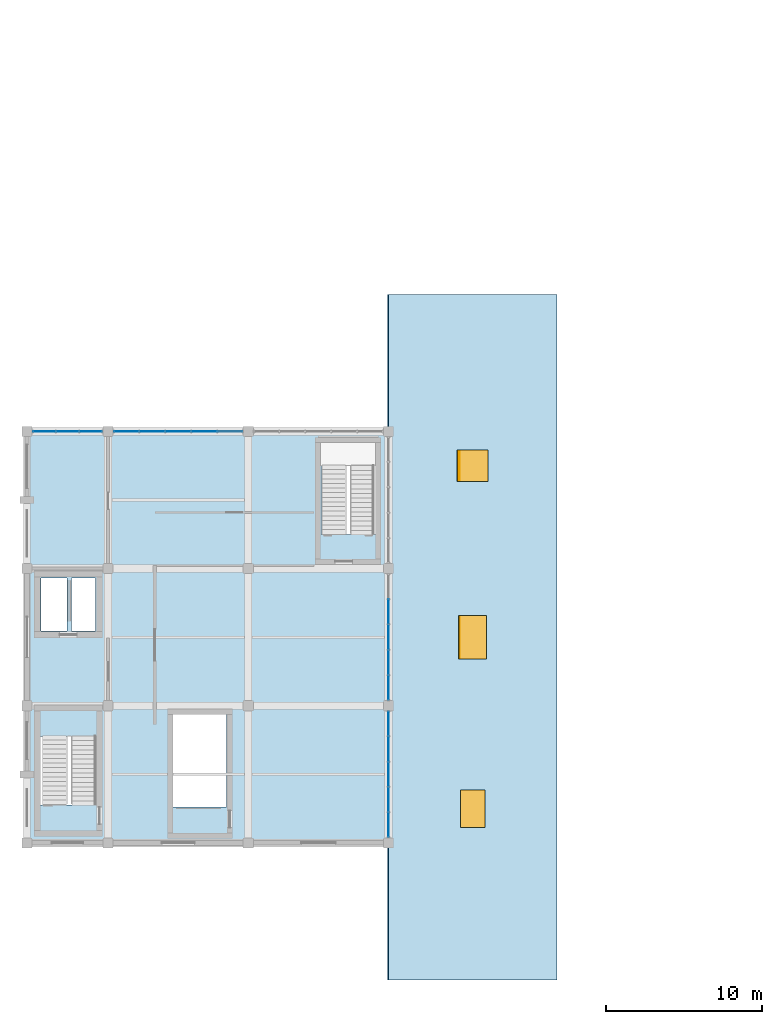
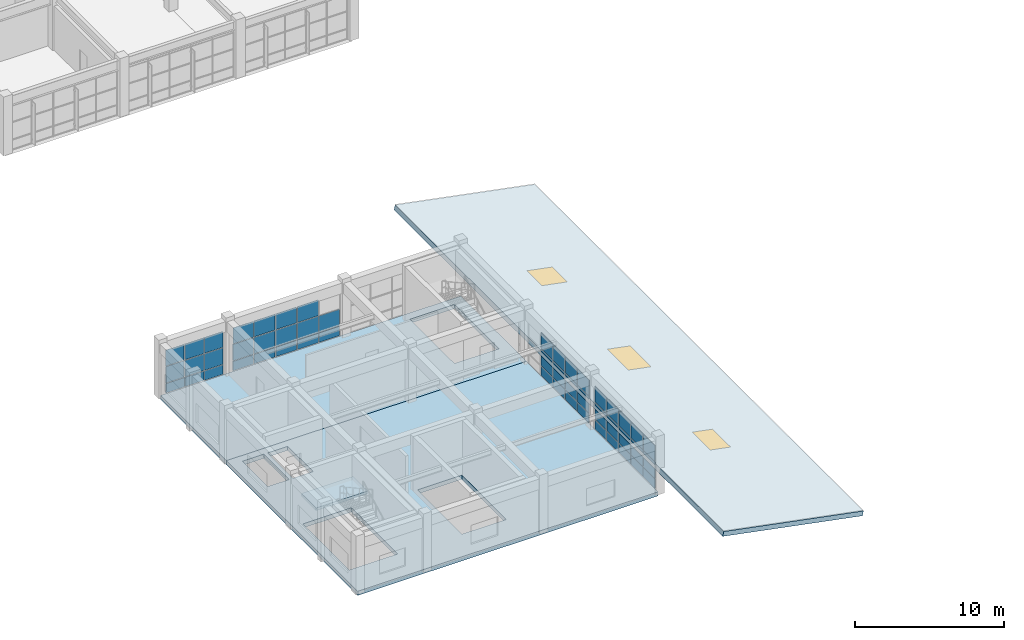
# One storey, part 69 of 99: 50 plates, 4 slabs, 3 windows, 3 openings, 5 elements without a shape of their own.
"""IFC4 building model written with IfcOpenShell, lengths in metres."""

from ifc_helpers import new_model, si_unit, direction, frame, origin, origin_2d, place, context, subcontext, project, spatial, polyline, rectangle, outline, extrude, material, layer, layer_set, type_object, element, fill, aggregate, save


model = new_model("IFC4")

# Units and contexts
model_context = context("Model", 3, precision=1e-05, world=origin(), true_north=direction((0.0, 1.0)))
body_context = subcontext(model_context, "Body", "Model", "MODEL_VIEW")
ifc_project = project(units=[si_unit("LENGTHUNIT", "METRE"), si_unit("AREAUNIT", "SQUARE_METRE"), si_unit("VOLUMEUNIT", "CUBIC_METRE"), si_unit("PLANEANGLEUNIT", "RADIAN"), si_unit("MASSUNIT", "GRAM", prefix="KILO")], contexts=[model_context])

# Site, building, storey
site_placement = place(None, origin())
site = spatial("IfcSite", under=ifc_project, at=site_placement, CompositionType="ELEMENT")
building_placement = place(site_placement, origin())
building = spatial("IfcBuilding", under=site, at=building_placement, Name="Ventoquebrada Cableway Terminal", CompositionType="ELEMENT")
storey_placement = place(building_placement, frame((0.0, 0.0, 9.60009765625)))
storey = spatial("IfcBuildingStorey", under=building, at=storey_placement, Name="L02", CompositionType="ELEMENT", Elevation=9.60009765625)

# Curtain wall, plates
ifc_material_1 = material(Name="Anodized thermally-broken aluminium", Category="aluminium")
ifc_layer_1 = layer(ifc_material_1, 0.159912109375)
ifc_layer_set_1 = layer_set([ifc_layer_1], Name="Anodized thermally-broken aluminium")
curtain_wall_type_1 = type_object("IfcCurtainWallType", Name="CW-T07", PredefinedType="USERDEFINED", material=ifc_layer_set_1)
curtain_wall_1_placement = place(storey_placement, origin())
curtain_wall_1 = element("IfcCurtainWall", 1, at=curtain_wall_1_placement, inside=storey, type_object=curtain_wall_type_1, Name="Unitised glazed curtain wall CW-014", ObjectType="UNITISED CURTAIN WALL", PredefinedType="USERDEFINED")
ifc_material_2 = material(Name="Double low-e laminated safety glazing", Category="glass")
ifc_layer_2 = layer(ifc_material_2, 0.031982421875)
ifc_layer_set_2 = layer_set([ifc_layer_2], Name="Double low-e laminated safety glazing")
plate_type_1 = type_object("IfcPlateType", Name="CWP-GL1", PredefinedType="CURTAIN_PANEL", material=ifc_layer_set_2)
plate_1_placement = place(storey_placement, frame((26.199951171875, 12.9619140625, 2.261962890625), z_axis=(0.0, 0.0, 1.0), x_axis=(0.0, 1.0, 0.0)))
plate_1 = element("IfcPlate", 2, at=plate_1_placement, type_object=plate_type_1, Name="Vision glazing panel PN-0120", PredefinedType="CURTAIN_PANEL", context=body_context, shape_type="SweptSolid", body=[
    extrude(rectangle(XDim=1.5439453125, YDim=0.031982421875, at=origin_2d()), origin(), (0.0, 0.0, 1.0), 1.2880859375),
])
plate_2_placement = place(storey_placement, frame((26.199951171875, 14.572021484375, 0.87451171875), z_axis=(0.0, 0.0, 1.0), x_axis=(0.0, 1.0, 0.0)))
plate_2 = element("IfcPlate", 3, at=plate_2_placement, type_object=plate_type_1, Name="Vision glazing panel PN-0122", PredefinedType="CURTAIN_PANEL", context=body_context, shape_type="SweptSolid", body=[
    extrude(rectangle(XDim=1.5791015625, YDim=0.031982421875, at=origin_2d()), origin(), (0.0, 0.0, 1.0), 1.339111328125),
])
plate_3_placement = place(storey_placement, frame((26.199951171875, 16.199951171875, 2.261962890625), z_axis=(0.0, 0.0, 1.0), x_axis=(0.0, 1.0, 0.0)))
plate_3 = element("IfcPlate", 4, at=plate_3_placement, type_object=plate_type_1, Name="Vision glazing panel PN-0126", PredefinedType="CURTAIN_PANEL", context=body_context, shape_type="SweptSolid", body=[
    extrude(rectangle(XDim=1.5791015625, YDim=0.031982421875, at=origin_2d()), origin(), (0.0, 0.0, 1.0), 1.2880859375),
])
plate_4_placement = place(storey_placement, frame((26.199951171875, 17.827880859375, 0.87451171875), z_axis=(0.0, 0.0, 1.0), x_axis=(0.0, 1.0, 0.0)))
plate_4 = element("IfcPlate", 5, at=plate_4_placement, type_object=plate_type_1, Name="Vision glazing panel PN-0128", PredefinedType="CURTAIN_PANEL", context=body_context, shape_type="SweptSolid", body=[
    extrude(rectangle(XDim=1.5791015625, YDim=0.031982421875, at=origin_2d()), origin(), (0.0, 0.0, 1.0), 1.339111328125),
])
plate_5_placement = place(storey_placement, frame((26.199951171875, 19.43798828125, 2.261962890625), z_axis=(0.0, 0.0, 1.0), x_axis=(0.0, 1.0, 0.0)))
plate_5 = element("IfcPlate", 6, at=plate_5_placement, type_object=plate_type_1, Name="Vision glazing panel PN-0132", PredefinedType="CURTAIN_PANEL", context=body_context, shape_type="SweptSolid", body=[
    extrude(rectangle(XDim=1.5439453125, YDim=0.031982421875, at=origin_2d()), origin(), (0.0, 0.0, 1.0), 1.2880859375),
])

curtain_wall_2_placement = place(storey_placement, origin())
curtain_wall_2 = element("IfcCurtainWall", 7, at=curtain_wall_2_placement, inside=storey, type_object=curtain_wall_type_1, Name="Unitised glazed curtain wall CW-015", ObjectType="UNITISED CURTAIN WALL", PredefinedType="USERDEFINED")
plate_6_placement = place(storey_placement, frame((26.199951171875, 21.760986328125, 2.261962890625), z_axis=(0.0, 0.0, 1.0), x_axis=(0.0, 1.0, 0.0)))
plate_6 = element("IfcPlate", 8, at=plate_6_placement, type_object=plate_type_1, Name="Vision glazing panel PN-0135", PredefinedType="CURTAIN_PANEL", context=body_context, shape_type="SweptSolid", body=[
    extrude(rectangle(XDim=1.5439453125, YDim=0.031982421875, at=origin_2d()), origin(), (0.0, 0.0, 1.0), 1.2880859375),
])
plate_7_placement = place(storey_placement, frame((26.199951171875, 23.3720703125, 0.87451171875), z_axis=(0.0, 0.0, 1.0), x_axis=(0.0, 1.0, 0.0)))
plate_7 = element("IfcPlate", 9, at=plate_7_placement, type_object=plate_type_1, Name="Vision glazing panel PN-0137", PredefinedType="CURTAIN_PANEL", context=body_context, shape_type="SweptSolid", body=[
    extrude(rectangle(XDim=1.5791015625, YDim=0.031982421875, at=origin_2d()), origin(), (0.0, 0.0, 1.0), 1.339111328125),
])
plate_8_placement = place(storey_placement, frame((26.199951171875, 25.0, 2.261962890625), z_axis=(0.0, 0.0, 1.0), x_axis=(0.0, 1.0, 0.0)))
plate_8 = element("IfcPlate", 10, at=plate_8_placement, type_object=plate_type_1, Name="Vision glazing panel PN-0141", PredefinedType="CURTAIN_PANEL", context=body_context, shape_type="SweptSolid", body=[
    extrude(rectangle(XDim=1.5791015625, YDim=0.031982421875, at=origin_2d()), origin(), (0.0, 0.0, 1.0), 1.2880859375),
])
plate_9_placement = place(storey_placement, frame((26.199951171875, 26.6279296875, 0.87451171875), z_axis=(0.0, 0.0, 1.0), x_axis=(0.0, 1.0, 0.0)))
plate_9 = element("IfcPlate", 11, at=plate_9_placement, type_object=plate_type_1, Name="Vision glazing panel PN-0143", PredefinedType="CURTAIN_PANEL", context=body_context, shape_type="SweptSolid", body=[
    extrude(rectangle(XDim=1.5791015625, YDim=0.031982421875, at=origin_2d()), origin(), (0.0, 0.0, 1.0), 1.339111328125),
])

ifc_layer_3 = layer(ifc_material_1, 0.159912109375)
ifc_layer_set_3 = layer_set([ifc_layer_3], Name="Anodized thermally-broken aluminium")
curtain_wall_type_2 = type_object("IfcCurtainWallType", Name="CW-T08", PredefinedType="USERDEFINED", material=ifc_layer_set_3)
curtain_wall_3_placement = place(storey_placement, origin())
curtain_wall_3 = element("IfcCurtainWall", 12, at=curtain_wall_3_placement, inside=storey, type_object=curtain_wall_type_2, Name="Unitised glazed curtain wall CW-017", ObjectType="UNITISED CURTAIN WALL", PredefinedType="USERDEFINED")
plate_10_placement = place(storey_placement, frame((7.095947265625, 38.199951171875, 2.261962890625), z_axis=(0.0, 0.0, 1.0), x_axis=(-1.0, 0.0, 0.0)))
plate_10 = element("IfcPlate", 13, at=plate_10_placement, type_object=plate_type_1, Name="Vision glazing panel PN-0165", PredefinedType="CURTAIN_PANEL", context=body_context, shape_type="SweptSolid", body=[
    extrude(rectangle(XDim=1.428955078125, YDim=0.031982421875, at=origin_2d()), origin(), (0.0, 0.0, 1.0), 1.2880859375),
])
plate_11_placement = place(storey_placement, frame((5.60009765625, 38.199951171875, 0.87451171875), z_axis=(0.0, 0.0, 1.0), x_axis=(-1.0, 0.0, 0.0)))
plate_11 = element("IfcPlate", 14, at=plate_11_placement, type_object=plate_type_1, Name="Vision glazing panel PN-0167", PredefinedType="CURTAIN_PANEL", context=body_context, shape_type="SweptSolid", body=[
    extrude(rectangle(XDim=1.464111328125, YDim=0.031982421875, at=origin_2d()), origin(), (0.0, 0.0, 1.0), 1.339111328125),
])
plate_12_placement = place(storey_placement, frame((4.10400390625, 38.199951171875, 2.261962890625), z_axis=(0.0, 0.0, 1.0), x_axis=(-1.0, 0.0, 0.0)))
plate_12 = element("IfcPlate", 15, at=plate_12_placement, type_object=plate_type_1, Name="Vision glazing panel PN-0171", PredefinedType="CURTAIN_PANEL", context=body_context, shape_type="SweptSolid", body=[
    extrude(rectangle(XDim=1.428955078125, YDim=0.031982421875, at=origin_2d()), origin(), (0.0, 0.0, 1.0), 1.2880859375),
])

ifc_layer_4 = layer(ifc_material_1, 0.159912109375)
ifc_layer_set_4 = layer_set([ifc_layer_4], Name="Anodized thermally-broken aluminium")
curtain_wall_type_3 = type_object("IfcCurtainWallType", Name="CW-T09", PredefinedType="USERDEFINED", material=ifc_layer_set_4)
curtain_wall_4_placement = place(storey_placement, origin())
curtain_wall_4 = element("IfcCurtainWall", 16, at=curtain_wall_4_placement, inside=storey, type_object=curtain_wall_type_3, Name="Unitised glazed curtain wall CW-018", ObjectType="UNITISED CURTAIN WALL", PredefinedType="USERDEFINED")
plate_13_placement = place(storey_placement, frame((14.368896484375, 38.199951171875, 0.87451171875), z_axis=(0.0, 0.0, 1.0), x_axis=(-1.0, 0.0, 0.0)))
plate_13 = element("IfcPlate", 17, at=plate_13_placement, type_object=plate_type_1, Name="Vision glazing panel PN-0176", PredefinedType="CURTAIN_PANEL", context=body_context, shape_type="SweptSolid", body=[
    extrude(rectangle(XDim=1.618896484375, YDim=0.031982421875, at=origin_2d()), origin(), (0.0, 0.0, 1.0), 1.339111328125),
])
plate_14_placement = place(storey_placement, frame((12.699951171875, 38.199951171875, 2.261962890625), z_axis=(0.0, 0.0, 1.0), x_axis=(-1.0, 0.0, 0.0)))
plate_14 = element("IfcPlate", 18, at=plate_14_placement, type_object=plate_type_1, Name="Vision glazing panel PN-0180", PredefinedType="CURTAIN_PANEL", context=body_context, shape_type="SweptSolid", body=[
    extrude(rectangle(XDim=1.618896484375, YDim=0.031982421875, at=origin_2d()), origin(), (0.0, 0.0, 1.0), 1.2880859375),
])
plate_15_placement = place(storey_placement, frame((11.031982421875, 38.199951171875, 0.87451171875), z_axis=(0.0, 0.0, 1.0), x_axis=(-1.0, 0.0, 0.0)))
plate_15 = element("IfcPlate", 19, at=plate_15_placement, type_object=plate_type_1, Name="Vision glazing panel PN-0182", PredefinedType="CURTAIN_PANEL", context=body_context, shape_type="SweptSolid", body=[
    extrude(rectangle(XDim=1.618896484375, YDim=0.031982421875, at=origin_2d()), origin(), (0.0, 0.0, 1.0), 1.339111328125),
])
plate_16_placement = place(storey_placement, frame((9.381103515625, 38.199951171875, 2.261962890625), z_axis=(0.0, 0.0, 1.0), x_axis=(-1.0, 0.0, 0.0)))
plate_16 = element("IfcPlate", 20, at=plate_16_placement, type_object=plate_type_1, Name="Vision glazing panel PN-0186", PredefinedType="CURTAIN_PANEL", context=body_context, shape_type="SweptSolid", body=[
    extrude(rectangle(XDim=1.583984375, YDim=0.031982421875, at=origin_2d()), origin(), (0.0, 0.0, 1.0), 1.2880859375),
])

# Plate
ifc_layer_5 = layer(ifc_material_2, 0.0380859375)
ifc_layer_set_5 = layer_set([ifc_layer_5], Name="Double low-e laminated safety glazing")
plate_type_2 = type_object("IfcPlateType", Name="CWP-GL2", PredefinedType="CURTAIN_PANEL", material=ifc_layer_set_5)
plate_17_placement = place(storey_placement, frame((26.199951171875, 12.9619140625, 0.87451171875), z_axis=(0.0, 0.0, 1.0), x_axis=(0.0, 1.0, 0.0)))
plate_17 = element("IfcPlate", 21, at=plate_17_placement, type_object=plate_type_2, Name="Vision glazing panel PN-0119", PredefinedType="CURTAIN_PANEL", context=body_context, shape_type="SweptSolid", body=[
    extrude(rectangle(XDim=1.5439453125, YDim=0.0380859375, at=origin_2d()), origin(), (0.0, 0.0, 1.0), 1.339111328125),
])

plate_18_placement = place(storey_placement, frame((26.199951171875, 14.572021484375, 2.261962890625), z_axis=(0.0, 0.0, 1.0), x_axis=(0.0, 1.0, 0.0)))
plate_18 = element("IfcPlate", 22, at=plate_18_placement, type_object=plate_type_2, Name="Vision glazing panel PN-0123", PredefinedType="CURTAIN_PANEL", context=body_context, shape_type="SweptSolid", body=[
    extrude(rectangle(XDim=1.5791015625, YDim=0.0380859375, at=origin_2d()), origin(), (0.0, 0.0, 1.0), 1.2880859375),
])

plate_19_placement = place(storey_placement, frame((26.199951171875, 16.199951171875, 0.87451171875), z_axis=(0.0, 0.0, 1.0), x_axis=(0.0, 1.0, 0.0)))
plate_19 = element("IfcPlate", 23, at=plate_19_placement, type_object=plate_type_2, Name="Vision glazing panel PN-0125", PredefinedType="CURTAIN_PANEL", context=body_context, shape_type="SweptSolid", body=[
    extrude(rectangle(XDim=1.5791015625, YDim=0.0380859375, at=origin_2d()), origin(), (0.0, 0.0, 1.0), 1.339111328125),
])

plate_20_placement = place(storey_placement, frame((26.199951171875, 17.827880859375, 2.261962890625), z_axis=(0.0, 0.0, 1.0), x_axis=(0.0, 1.0, 0.0)))
plate_20 = element("IfcPlate", 24, at=plate_20_placement, type_object=plate_type_2, Name="Vision glazing panel PN-0129", PredefinedType="CURTAIN_PANEL", context=body_context, shape_type="SweptSolid", body=[
    extrude(rectangle(XDim=1.5791015625, YDim=0.0380859375, at=origin_2d()), origin(), (0.0, 0.0, 1.0), 1.2880859375),
])

plate_21_placement = place(storey_placement, frame((26.199951171875, 19.43798828125, 0.87451171875), z_axis=(0.0, 0.0, 1.0), x_axis=(0.0, 1.0, 0.0)))
plate_21 = element("IfcPlate", 25, at=plate_21_placement, type_object=plate_type_2, Name="Vision glazing panel PN-0131", PredefinedType="CURTAIN_PANEL", context=body_context, shape_type="SweptSolid", body=[
    extrude(rectangle(XDim=1.5439453125, YDim=0.0380859375, at=origin_2d()), origin(), (0.0, 0.0, 1.0), 1.339111328125),
])

plate_22_placement = place(storey_placement, frame((26.199951171875, 21.760986328125, 0.87451171875), z_axis=(0.0, 0.0, 1.0), x_axis=(0.0, 1.0, 0.0)))
plate_22 = element("IfcPlate", 26, at=plate_22_placement, type_object=plate_type_2, Name="Vision glazing panel PN-0134", PredefinedType="CURTAIN_PANEL", context=body_context, shape_type="SweptSolid", body=[
    extrude(rectangle(XDim=1.5439453125, YDim=0.0380859375, at=origin_2d()), origin(), (0.0, 0.0, 1.0), 1.339111328125),
])

plate_23_placement = place(storey_placement, frame((26.199951171875, 23.3720703125, 2.261962890625), z_axis=(0.0, 0.0, 1.0), x_axis=(0.0, 1.0, 0.0)))
plate_23 = element("IfcPlate", 27, at=plate_23_placement, type_object=plate_type_2, Name="Vision glazing panel PN-0138", PredefinedType="CURTAIN_PANEL", context=body_context, shape_type="SweptSolid", body=[
    extrude(rectangle(XDim=1.5791015625, YDim=0.0380859375, at=origin_2d()), origin(), (0.0, 0.0, 1.0), 1.2880859375),
])

plate_24_placement = place(storey_placement, frame((26.199951171875, 25.0, 0.87451171875), z_axis=(0.0, 0.0, 1.0), x_axis=(0.0, 1.0, 0.0)))
plate_24 = element("IfcPlate", 28, at=plate_24_placement, type_object=plate_type_2, Name="Vision glazing panel PN-0140", PredefinedType="CURTAIN_PANEL", context=body_context, shape_type="SweptSolid", body=[
    extrude(rectangle(XDim=1.5791015625, YDim=0.0380859375, at=origin_2d()), origin(), (0.0, 0.0, 1.0), 1.339111328125),
])

plate_25_placement = place(storey_placement, frame((26.199951171875, 26.6279296875, 2.261962890625), z_axis=(0.0, 0.0, 1.0), x_axis=(0.0, 1.0, 0.0)))
plate_25 = element("IfcPlate", 29, at=plate_25_placement, type_object=plate_type_2, Name="Vision glazing panel PN-0144", PredefinedType="CURTAIN_PANEL", context=body_context, shape_type="SweptSolid", body=[
    extrude(rectangle(XDim=1.5791015625, YDim=0.0380859375, at=origin_2d()), origin(), (0.0, 0.0, 1.0), 1.2880859375),
])

plate_26_placement = place(storey_placement, frame((7.095947265625, 38.199951171875, 0.87451171875), z_axis=(0.0, 0.0, 1.0), x_axis=(-1.0, 0.0, 0.0)))
plate_26 = element("IfcPlate", 30, at=plate_26_placement, type_object=plate_type_2, Name="Vision glazing panel PN-0164", PredefinedType="CURTAIN_PANEL", context=body_context, shape_type="SweptSolid", body=[
    extrude(rectangle(XDim=1.428955078125, YDim=0.0380859375, at=origin_2d()), origin(), (0.0, 0.0, 1.0), 1.339111328125),
])

plate_27_placement = place(storey_placement, frame((5.60009765625, 38.199951171875, 2.261962890625), z_axis=(0.0, 0.0, 1.0), x_axis=(-1.0, 0.0, 0.0)))
plate_27 = element("IfcPlate", 31, at=plate_27_placement, type_object=plate_type_2, Name="Vision glazing panel PN-0168", PredefinedType="CURTAIN_PANEL", context=body_context, shape_type="SweptSolid", body=[
    extrude(rectangle(XDim=1.464111328125, YDim=0.0380859375, at=origin_2d()), origin(), (0.0, 0.0, 1.0), 1.2880859375),
])

plate_28_placement = place(storey_placement, frame((4.10400390625, 38.199951171875, 0.87451171875), z_axis=(0.0, 0.0, 1.0), x_axis=(-1.0, 0.0, 0.0)))
plate_28 = element("IfcPlate", 32, at=plate_28_placement, type_object=plate_type_2, Name="Vision glazing panel PN-0170", PredefinedType="CURTAIN_PANEL", context=body_context, shape_type="SweptSolid", body=[
    extrude(rectangle(XDim=1.428955078125, YDim=0.0380859375, at=origin_2d()), origin(), (0.0, 0.0, 1.0), 1.339111328125),
])

plate_29_placement = place(storey_placement, frame((16.01904296875, 38.199951171875, 0.87451171875), z_axis=(0.0, 0.0, 1.0), x_axis=(-1.0, 0.0, 0.0)))
plate_29 = element("IfcPlate", 33, at=plate_29_placement, type_object=plate_type_2, Name="Vision glazing panel PN-0173", PredefinedType="CURTAIN_PANEL", context=body_context, shape_type="SweptSolid", body=[
    extrude(rectangle(XDim=1.583984375, YDim=0.0380859375, at=origin_2d()), origin(), (0.0, 0.0, 1.0), 1.339111328125),
])

plate_30_placement = place(storey_placement, frame((14.368896484375, 38.199951171875, 2.261962890625), z_axis=(0.0, 0.0, 1.0), x_axis=(-1.0, 0.0, 0.0)))
plate_30 = element("IfcPlate", 34, at=plate_30_placement, type_object=plate_type_2, Name="Vision glazing panel PN-0177", PredefinedType="CURTAIN_PANEL", context=body_context, shape_type="SweptSolid", body=[
    extrude(rectangle(XDim=1.618896484375, YDim=0.0380859375, at=origin_2d()), origin(), (0.0, 0.0, 1.0), 1.2880859375),
])

plate_31_placement = place(storey_placement, frame((12.699951171875, 38.199951171875, 0.87451171875), z_axis=(0.0, 0.0, 1.0), x_axis=(-1.0, 0.0, 0.0)))
plate_31 = element("IfcPlate", 35, at=plate_31_placement, type_object=plate_type_2, Name="Vision glazing panel PN-0179", PredefinedType="CURTAIN_PANEL", context=body_context, shape_type="SweptSolid", body=[
    extrude(rectangle(XDim=1.618896484375, YDim=0.0380859375, at=origin_2d()), origin(), (0.0, 0.0, 1.0), 1.339111328125),
])

plate_32_placement = place(storey_placement, frame((11.031982421875, 38.199951171875, 2.261962890625), z_axis=(0.0, 0.0, 1.0), x_axis=(-1.0, 0.0, 0.0)))
plate_32 = element("IfcPlate", 36, at=plate_32_placement, type_object=plate_type_2, Name="Vision glazing panel PN-0183", PredefinedType="CURTAIN_PANEL", context=body_context, shape_type="SweptSolid", body=[
    extrude(rectangle(XDim=1.618896484375, YDim=0.0380859375, at=origin_2d()), origin(), (0.0, 0.0, 1.0), 1.2880859375),
])

plate_33_placement = place(storey_placement, frame((9.381103515625, 38.199951171875, 0.87451171875), z_axis=(0.0, 0.0, 1.0), x_axis=(-1.0, 0.0, 0.0)))
plate_33 = element("IfcPlate", 37, at=plate_33_placement, type_object=plate_type_2, Name="Vision glazing panel PN-0185", PredefinedType="CURTAIN_PANEL", context=body_context, shape_type="SweptSolid", body=[
    extrude(rectangle(XDim=1.583984375, YDim=0.0380859375, at=origin_2d()), origin(), (0.0, 0.0, 1.0), 1.339111328125),
])

ifc_material_3 = material(Name="Insulated aluminium spandrel cassette", Category="aluminium")
ifc_layer_6 = layer(ifc_material_3, 0.044921875)
ifc_layer_set_6 = layer_set([ifc_layer_6], Name="Insulated aluminium spandrel cassette")
plate_type_3 = type_object("IfcPlateType", Name="CWP-SP1", PredefinedType="CURTAIN_PANEL", material=ifc_layer_set_6)
plate_34_placement = place(storey_placement, frame((26.199951171875, 12.9619140625, 0.059814453125), z_axis=(0.0, 0.0, 1.0), x_axis=(0.0, 1.0, 0.0)))
plate_34 = element("IfcPlate", 38, at=plate_34_placement, type_object=plate_type_3, Name="Insulated spandrel panel PN-0118", PredefinedType="CURTAIN_PANEL", context=body_context, shape_type="SweptSolid", body=[
    extrude(rectangle(XDim=1.5439453125, YDim=0.044921875, at=origin_2d()), origin(), (0.0, 0.0, 1.0), 0.76611328125),
])

plate_35_placement = place(storey_placement, frame((26.199951171875, 14.572021484375, 0.059814453125), z_axis=(0.0, 0.0, 1.0), x_axis=(0.0, 1.0, 0.0)))
plate_35 = element("IfcPlate", 39, at=plate_35_placement, type_object=plate_type_3, Name="Insulated spandrel panel PN-0121", PredefinedType="CURTAIN_PANEL", context=body_context, shape_type="SweptSolid", body=[
    extrude(rectangle(XDim=1.5791015625, YDim=0.044921875, at=origin_2d()), origin(), (0.0, 0.0, 1.0), 0.76611328125),
])

plate_36_placement = place(storey_placement, frame((26.199951171875, 16.199951171875, 0.059814453125), z_axis=(0.0, 0.0, 1.0), x_axis=(0.0, 1.0, 0.0)))
plate_36 = element("IfcPlate", 40, at=plate_36_placement, type_object=plate_type_3, Name="Insulated spandrel panel PN-0124", PredefinedType="CURTAIN_PANEL", context=body_context, shape_type="SweptSolid", body=[
    extrude(rectangle(XDim=1.5791015625, YDim=0.044921875, at=origin_2d()), origin(), (0.0, 0.0, 1.0), 0.76611328125),
])

plate_37_placement = place(storey_placement, frame((26.199951171875, 17.827880859375, 0.059814453125), z_axis=(0.0, 0.0, 1.0), x_axis=(0.0, 1.0, 0.0)))
plate_37 = element("IfcPlate", 41, at=plate_37_placement, type_object=plate_type_3, Name="Insulated spandrel panel PN-0127", PredefinedType="CURTAIN_PANEL", context=body_context, shape_type="SweptSolid", body=[
    extrude(rectangle(XDim=1.5791015625, YDim=0.044921875, at=origin_2d()), origin(), (0.0, 0.0, 1.0), 0.76611328125),
])

plate_38_placement = place(storey_placement, frame((26.199951171875, 19.43798828125, 0.059814453125), z_axis=(0.0, 0.0, 1.0), x_axis=(0.0, 1.0, 0.0)))
plate_38 = element("IfcPlate", 42, at=plate_38_placement, type_object=plate_type_3, Name="Insulated spandrel panel PN-0130", PredefinedType="CURTAIN_PANEL", context=body_context, shape_type="SweptSolid", body=[
    extrude(rectangle(XDim=1.5439453125, YDim=0.044921875, at=origin_2d()), origin(), (0.0, 0.0, 1.0), 0.76611328125),
])

aggregate(curtain_wall_1, [plate_34, plate_17, plate_1, plate_35, plate_2, plate_18, plate_36, plate_19, plate_3, plate_37, plate_4, plate_20, plate_38, plate_21, plate_5])

plate_39_placement = place(storey_placement, frame((26.199951171875, 21.760986328125, 0.059814453125), z_axis=(0.0, 0.0, 1.0), x_axis=(0.0, 1.0, 0.0)))
plate_39 = element("IfcPlate", 43, at=plate_39_placement, type_object=plate_type_3, Name="Insulated spandrel panel PN-0133", PredefinedType="CURTAIN_PANEL", context=body_context, shape_type="SweptSolid", body=[
    extrude(rectangle(XDim=1.5439453125, YDim=0.044921875, at=origin_2d()), origin(), (0.0, 0.0, 1.0), 0.76611328125),
])

plate_40_placement = place(storey_placement, frame((26.199951171875, 23.3720703125, 0.059814453125), z_axis=(0.0, 0.0, 1.0), x_axis=(0.0, 1.0, 0.0)))
plate_40 = element("IfcPlate", 44, at=plate_40_placement, type_object=plate_type_3, Name="Insulated spandrel panel PN-0136", PredefinedType="CURTAIN_PANEL", context=body_context, shape_type="SweptSolid", body=[
    extrude(rectangle(XDim=1.5791015625, YDim=0.044921875, at=origin_2d()), origin(), (0.0, 0.0, 1.0), 0.76611328125),
])

plate_41_placement = place(storey_placement, frame((26.199951171875, 25.0, 0.059814453125), z_axis=(0.0, 0.0, 1.0), x_axis=(0.0, 1.0, 0.0)))
plate_41 = element("IfcPlate", 45, at=plate_41_placement, type_object=plate_type_3, Name="Insulated spandrel panel PN-0139", PredefinedType="CURTAIN_PANEL", context=body_context, shape_type="SweptSolid", body=[
    extrude(rectangle(XDim=1.5791015625, YDim=0.044921875, at=origin_2d()), origin(), (0.0, 0.0, 1.0), 0.76611328125),
])

plate_42_placement = place(storey_placement, frame((26.199951171875, 26.6279296875, 0.059814453125), z_axis=(0.0, 0.0, 1.0), x_axis=(0.0, 1.0, 0.0)))
plate_42 = element("IfcPlate", 46, at=plate_42_placement, type_object=plate_type_3, Name="Insulated spandrel panel PN-0142", PredefinedType="CURTAIN_PANEL", context=body_context, shape_type="SweptSolid", body=[
    extrude(rectangle(XDim=1.5791015625, YDim=0.044921875, at=origin_2d()), origin(), (0.0, 0.0, 1.0), 0.76611328125),
])

aggregate(curtain_wall_2, [plate_39, plate_22, plate_6, plate_40, plate_7, plate_23, plate_41, plate_24, plate_8, plate_42, plate_9, plate_25])

plate_43_placement = place(storey_placement, frame((7.095947265625, 38.199951171875, 0.059814453125), z_axis=(0.0, 0.0, 1.0), x_axis=(-1.0, 0.0, 0.0)))
plate_43 = element("IfcPlate", 47, at=plate_43_placement, type_object=plate_type_3, Name="Insulated spandrel panel PN-0163", PredefinedType="CURTAIN_PANEL", context=body_context, shape_type="SweptSolid", body=[
    extrude(rectangle(XDim=1.428955078125, YDim=0.044921875, at=origin_2d()), origin(), (0.0, 0.0, 1.0), 0.76611328125),
])

plate_44_placement = place(storey_placement, frame((5.60009765625, 38.199951171875, 0.059814453125), z_axis=(0.0, 0.0, 1.0), x_axis=(-1.0, 0.0, 0.0)))
plate_44 = element("IfcPlate", 48, at=plate_44_placement, type_object=plate_type_3, Name="Insulated spandrel panel PN-0166", PredefinedType="CURTAIN_PANEL", context=body_context, shape_type="SweptSolid", body=[
    extrude(rectangle(XDim=1.464111328125, YDim=0.044921875, at=origin_2d()), origin(), (0.0, 0.0, 1.0), 0.76611328125),
])

plate_45_placement = place(storey_placement, frame((4.10400390625, 38.199951171875, 0.059814453125), z_axis=(0.0, 0.0, 1.0), x_axis=(-1.0, 0.0, 0.0)))
plate_45 = element("IfcPlate", 49, at=plate_45_placement, type_object=plate_type_3, Name="Insulated spandrel panel PN-0169", PredefinedType="CURTAIN_PANEL", context=body_context, shape_type="SweptSolid", body=[
    extrude(rectangle(XDim=1.428955078125, YDim=0.044921875, at=origin_2d()), origin(), (0.0, 0.0, 1.0), 0.76611328125),
])

aggregate(curtain_wall_3, [plate_43, plate_26, plate_10, plate_44, plate_11, plate_27, plate_45, plate_28, plate_12])

plate_46_placement = place(storey_placement, frame((16.01904296875, 38.199951171875, 0.059814453125), z_axis=(0.0, 0.0, 1.0), x_axis=(-1.0, 0.0, 0.0)))
plate_46 = element("IfcPlate", 50, at=plate_46_placement, type_object=plate_type_3, Name="Insulated spandrel panel PN-0172", PredefinedType="CURTAIN_PANEL", context=body_context, shape_type="SweptSolid", body=[
    extrude(rectangle(XDim=1.583984375, YDim=0.044921875, at=origin_2d()), origin(), (0.0, 0.0, 1.0), 0.76611328125),
])

plate_47_placement = place(storey_placement, frame((14.368896484375, 38.199951171875, 0.059814453125), z_axis=(0.0, 0.0, 1.0), x_axis=(-1.0, 0.0, 0.0)))
plate_47 = element("IfcPlate", 51, at=plate_47_placement, type_object=plate_type_3, Name="Insulated spandrel panel PN-0175", PredefinedType="CURTAIN_PANEL", context=body_context, shape_type="SweptSolid", body=[
    extrude(rectangle(XDim=1.618896484375, YDim=0.044921875, at=origin_2d()), origin(), (0.0, 0.0, 1.0), 0.76611328125),
])

plate_48_placement = place(storey_placement, frame((12.699951171875, 38.199951171875, 0.059814453125), z_axis=(0.0, 0.0, 1.0), x_axis=(-1.0, 0.0, 0.0)))
plate_48 = element("IfcPlate", 52, at=plate_48_placement, type_object=plate_type_3, Name="Insulated spandrel panel PN-0178", PredefinedType="CURTAIN_PANEL", context=body_context, shape_type="SweptSolid", body=[
    extrude(rectangle(XDim=1.618896484375, YDim=0.044921875, at=origin_2d()), origin(), (0.0, 0.0, 1.0), 0.76611328125),
])

plate_49_placement = place(storey_placement, frame((11.031982421875, 38.199951171875, 0.059814453125), z_axis=(0.0, 0.0, 1.0), x_axis=(-1.0, 0.0, 0.0)))
plate_49 = element("IfcPlate", 53, at=plate_49_placement, type_object=plate_type_3, Name="Insulated spandrel panel PN-0181", PredefinedType="CURTAIN_PANEL", context=body_context, shape_type="SweptSolid", body=[
    extrude(rectangle(XDim=1.618896484375, YDim=0.044921875, at=origin_2d()), origin(), (0.0, 0.0, 1.0), 0.76611328125),
])

plate_50_placement = place(storey_placement, frame((9.381103515625, 38.199951171875, 0.059814453125), z_axis=(0.0, 0.0, 1.0), x_axis=(-1.0, 0.0, 0.0)))
plate_50 = element("IfcPlate", 54, at=plate_50_placement, type_object=plate_type_3, Name="Insulated spandrel panel PN-0184", PredefinedType="CURTAIN_PANEL", context=body_context, shape_type="SweptSolid", body=[
    extrude(rectangle(XDim=1.583984375, YDim=0.044921875, at=origin_2d()), origin(), (0.0, 0.0, 1.0), 0.76611328125),
])

aggregate(curtain_wall_4, [plate_46, plate_29, plate_47, plate_13, plate_30, plate_48, plate_31, plate_14, plate_49, plate_15, plate_32, plate_50, plate_33, plate_16])

# Slabs
ifc_material_4 = material(Name="Concrete C40/50", Category="concrete")
ifc_layer_7 = layer(ifc_material_4, 0.3349609375)
ifc_layer_set_7 = layer_set([ifc_layer_7], Name="Concrete C40/50")
slab_type_1 = type_object("IfcSlabType", Name="SL-FL3", PredefinedType="FLOOR", material=ifc_layer_set_7)
slab_1_placement = place(storey_placement, frame((0.0, 0.0, -0.335205078125)))
element("IfcSlab", 55, at=slab_1_placement, inside=storey, type_object=slab_type_1, Name="Reinforced concrete floor slab SL-011", PredefinedType="FLOOR", context=body_context, shape_type="SweptSolid", body=[
    extrude(outline(polyline([(26.199951171875, 29.39990234375), (3.0, 29.39990234375), (3.0, 11.800048828125), (26.199951171875, 11.800048828125), (26.199951171875, 29.39990234375)]), holes=[polyline([(3.75, 14.239990234375), (3.75, 20.449951171875), (7.5, 20.449951171875), (7.5, 14.239990234375), (3.75, 14.239990234375)]), polyline([(3.89990234375, 28.800048828125), (5.550048828125, 28.800048828125), (5.550048828125, 25.39990234375), (3.89990234375, 25.39990234375), (3.89990234375, 28.800048828125)]), polyline([(7.39990234375, 28.800048828125), (7.39990234375, 25.39990234375), (5.85009765625, 25.39990234375), (5.85009765625, 28.800048828125), (7.39990234375, 28.800048828125)]), polyline([(15.800048828125, 14.090087890625), (12.3798828125, 14.090087890625), (12.3798828125, 20.050048828125), (15.800048828125, 20.050048828125), (15.800048828125, 14.090087890625)])]), origin(), (0.0, 0.0, 1.0), 0.335205078125),
])
slab_2_placement = place(storey_placement, frame((0.0, 0.0, -0.335205078125)))
element("IfcSlab", 56, at=slab_2_placement, inside=storey, type_object=slab_type_1, Name="Reinforced concrete floor slab SL-012", PredefinedType="FLOOR", context=body_context, shape_type="SweptSolid", body=[
    extrude(outline(polyline([(26.199951171875, 29.39990234375), (26.199951171875, 38.199951171875), (3.0, 38.199951171875), (3.0, 29.39990234375), (26.199951171875, 29.39990234375)]), holes=[polyline([(25.35009765625, 31.590087890625), (21.89990234375, 31.590087890625), (21.89990234375, 37.550048828125), (25.35009765625, 37.550048828125), (25.35009765625, 31.590087890625)])]), origin(), (0.0, 0.0, 1.0), 0.335205078125),
])

# Stair, slab
stair_type = type_object("IfcStairType", Name="ST-T03", PredefinedType="HALF_TURN_STAIR", material=ifc_material_4)
stair_placement = place(storey_placement, origin())
stair = element("IfcStair", 57, at=stair_placement, inside=storey, type_object=stair_type, Name="Protected half-turn stair ST-07", PredefinedType="HALF_TURN_STAIR")
ifc_layer_8 = layer(ifc_material_4, 0.219970703125)
ifc_layer_set_8 = layer_set([ifc_layer_8], Name="Concrete C40/50")
slab_type_2 = type_object("IfcSlabType", Name="SL-LD1", PredefinedType="LANDING", material=ifc_layer_set_8)
slab_3_placement = place(storey_placement, frame((0.0, 0.0, 2.179931640625)))
slab_3 = element("IfcSlab", 58, at=slab_3_placement, type_object=slab_type_2, Name="Intermediate stair landing LDG-007", PredefinedType="LANDING", context=body_context, shape_type="SweptSolid", body=[
    extrude(outline(polyline([(7.7099609375, 18.639892578125), (7.7099609375, 20.610107421875), (3.72998046875, 20.610107421875), (3.72998046875, 18.639892578125), (7.7099609375, 18.639892578125)])), origin(), (0.0, 0.0, 1.0), 0.219970703125),
])
aggregate(stair, [slab_3])

# Slab, openings, windows
ifc_material_5 = material(Name="Concrete C45/55", Category="concrete")
ifc_layer_9 = layer(ifc_material_5, 0.3798828125)
ifc_layer_set_9 = layer_set([ifc_layer_9], Name="Concrete C45/55")
slab_type_3 = type_object("IfcSlabType", Name="SL-RF1", PredefinedType="ROOF", material=ifc_layer_set_9)
slab_4_placement = place(storey_placement, frame((26.12744140625, 3.0, 1.72607421875), z_axis=(0.190770469722, 0.0, 0.981634671292), x_axis=(0.981634671292, 0.0, -0.190770469722)))
slab_4 = element("IfcSlab", 59, at=slab_4_placement, inside=storey, type_object=slab_type_3, Name="Folded roof slab SL-104", PredefinedType="ROOF", context=body_context, shape_type="SweptSolid", body=[
    extrude(outline(polyline([(0.0, 0.0), (11.002106123567591, 0.0), (11.002106123567591, 44.0), (0.0, 44.0), (0.0, 0.0)])), origin(), (0.0, 0.0, 1.0), 0.3798828125),
])
opening_1_placement = place(slab_4_placement, frame((5.501220703125, 11.0, -0.010009765625), z_axis=(0.0, 0.0, 1.0), x_axis=(0.0, 1.0, 0.0)))
opening_1 = element("IfcOpeningElement", 60, at=opening_1_placement, cuts=slab_4, Name="Opening SKY-01", PredefinedType="OPENING", context=body_context, shape_type="SweptSolid", body=[
    extrude(rectangle(XDim=2.39990234375, YDim=1.60009765625, at=origin_2d()), origin(), (0.0, 0.0, 1.0), 0.39990234375),
])
opening_2_placement = place(slab_4_placement, frame((5.501220703125, 22.0, -0.010009765625), z_axis=(0.0, 0.0, 1.0), x_axis=(0.0, 1.0, 0.0)))
opening_2 = element("IfcOpeningElement", 61, at=opening_2_placement, cuts=slab_4, Name="Opening SKY-02", PredefinedType="OPENING", context=body_context, shape_type="SweptSolid", body=[
    extrude(rectangle(XDim=2.800048828125, YDim=1.800048828125, at=origin_2d()), origin(), (0.0, 0.0, 1.0), 0.39990234375),
])
opening_3_placement = place(slab_4_placement, frame((5.501220703125, 33.0, -0.010009765625), z_axis=(0.0, 0.0, 1.0), x_axis=(1.0, 0.0, 0.0)))
opening_3 = element("IfcOpeningElement", 62, at=opening_3_placement, cuts=slab_4, Name="Opening SKY-03", PredefinedType="OPENING", context=body_context, shape_type="SweptSolid", body=[
    extrude(rectangle(XDim=2.0, YDim=2.0, at=origin_2d()), origin(), (0.0, 0.0, 1.0), 0.39990234375),
])
window_type_1 = type_object("IfcWindowType", Name="SK-01", PartitioningType="SINGLE_PANEL", PredefinedType="SKYLIGHT", material=ifc_material_2)
window_1_placement = place(opening_1_placement, frame((0.0, 0.0, 0.309814453125)))
window_1 = element("IfcWindow", 63, at=window_1_placement, inside=storey, type_object=window_type_1, Name="Sawtooth northlight skylight SKY-01", OverallHeight=1.60009765625, OverallWidth=2.39990234375, PartitioningType="SINGLE_PANEL", PredefinedType="SKYLIGHT", context=body_context, shape_type="SweptSolid", body=[
    extrude(rectangle(XDim=2.39990234375, YDim=1.60009765625, at=origin_2d()), origin(), (0.0, 0.0, 1.0), 0.080078125),
])
fill(opening_1, window_1)
window_type_2 = type_object("IfcWindowType", Name="SK-02", PartitioningType="SINGLE_PANEL", PredefinedType="SKYLIGHT", material=ifc_material_2)
window_2_placement = place(opening_2_placement, frame((0.0, 0.0, 0.309814453125)))
window_2 = element("IfcWindow", 64, at=window_2_placement, inside=storey, type_object=window_type_2, Name="Sawtooth northlight skylight SKY-02", OverallHeight=1.800048828125, OverallWidth=2.800048828125, PartitioningType="SINGLE_PANEL", PredefinedType="SKYLIGHT", context=body_context, shape_type="SweptSolid", body=[
    extrude(rectangle(XDim=2.800048828125, YDim=1.800048828125, at=origin_2d()), origin(), (0.0, 0.0, 1.0), 0.080078125),
])
fill(opening_2, window_2)
window_type_3 = type_object("IfcWindowType", Name="SK-03", PartitioningType="SINGLE_PANEL", PredefinedType="SKYLIGHT", material=ifc_material_2)
window_3_placement = place(opening_3_placement, frame((0.0, 0.0, 0.309814453125)))
window_3 = element("IfcWindow", 65, at=window_3_placement, inside=storey, type_object=window_type_3, Name="Sawtooth northlight skylight SKY-03", OverallHeight=2.0, OverallWidth=2.0, PartitioningType="SINGLE_PANEL", PredefinedType="SKYLIGHT", context=body_context, shape_type="SweptSolid", body=[
    extrude(rectangle(XDim=2.0, YDim=2.0, at=origin_2d()), origin(), (0.0, 0.0, 1.0), 0.080078125),
])
fill(opening_3, window_3)

save(model, "model.ifc")
